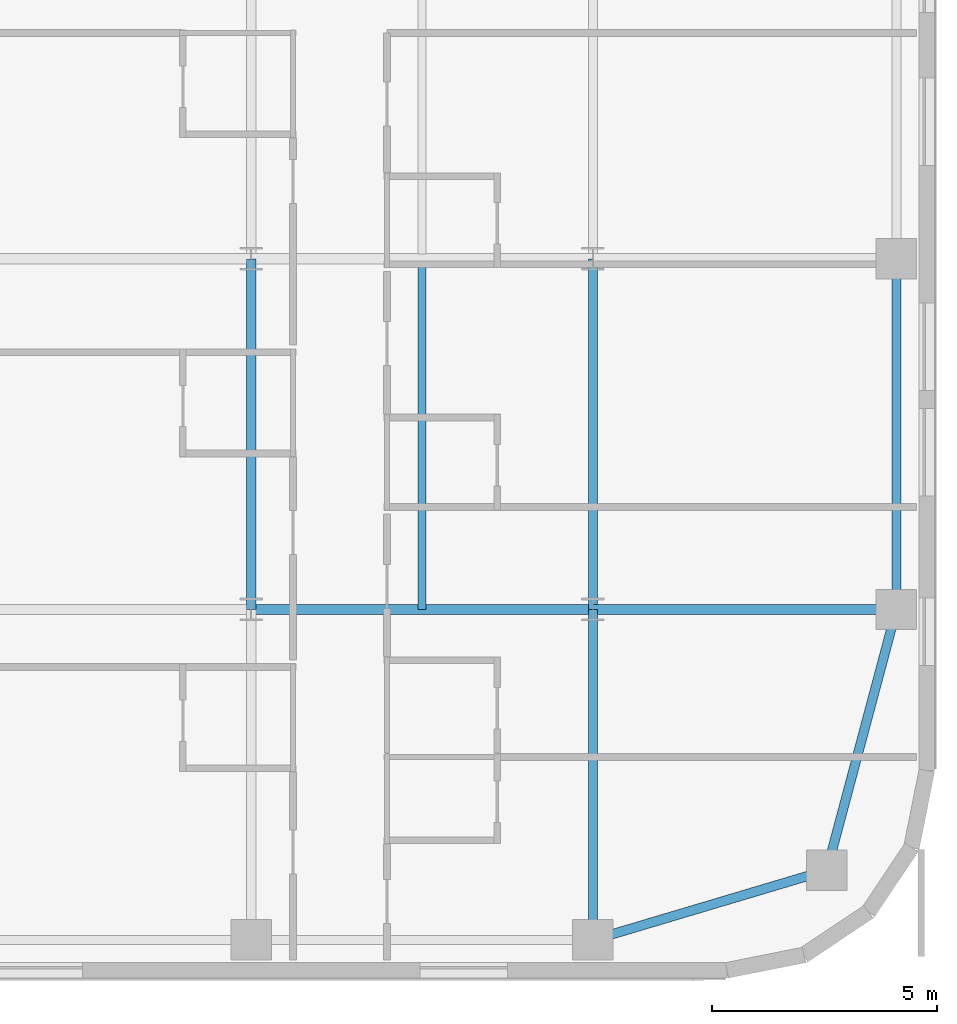
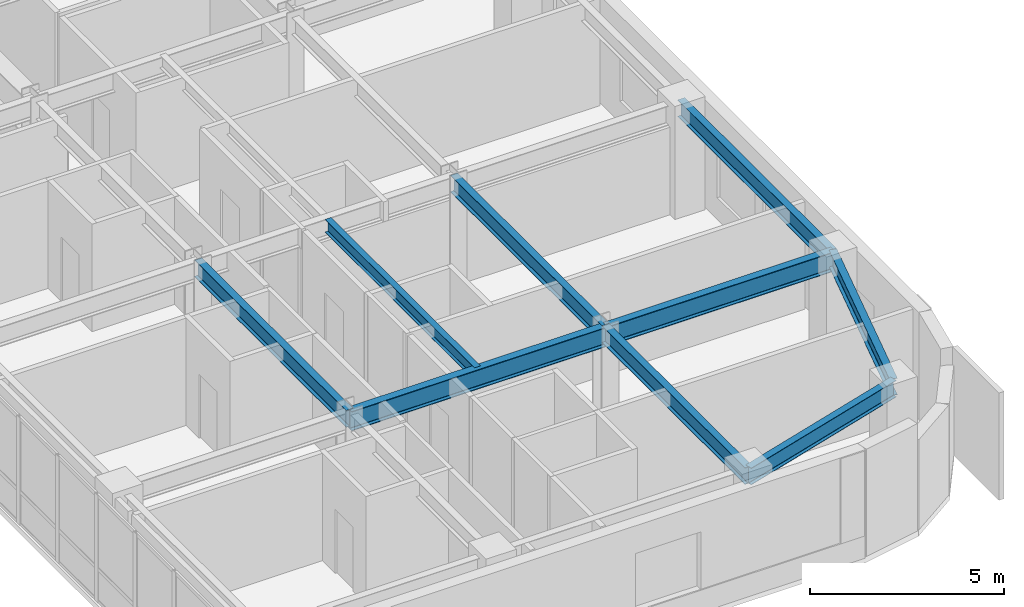
# One storey, part 10 of 25: 9 beams.
"""IFC4 building model written with IfcOpenShell, lengths in metres."""

import ifcopenshell
import ifcopenshell.guid

model = None  # the IFC model being written
_history = None  # IfcOwnerHistory: only IFC2X3 demands one
_inside = {}  # id of a spatial element -> (the spatial element, [elements in it])
_under = {}  # id of a project, library or spatial element -> (it, [spatial elements below it])
_declared = {}  # id of a project -> (the project, [libraries it declares])
_typed = {}  # id of a type object -> (the type object, [elements of that type])
_made_of = {}  # id of a material, layer set ... -> (it, [elements and type objects made of it])


def new_model(schema):
    """Start an empty IFC model of exactly this schema.

    Asked for "IFC4X3", IfcOpenShell would pick the latest addendum, in which some entities
    have other attributes; the version numbers below select the first issue.
    IFC2X3 requires an IfcOwnerHistory on every rooted entity: one is made here for all.
    """
    global model, _history
    if schema == "IFC4X3":
        model = ifcopenshell.file(schema_version=(4, 3, 0, 0))
    else:
        model = ifcopenshell.file(schema=schema)
    _inside.clear()
    _under.clear()
    _declared.clear()
    _typed.clear()
    _made_of.clear()
    _history = None
    if model.schema == "IFC2X3":
        org = make("IfcOrganization", Name="unknown")
        user = make(
            "IfcPersonAndOrganization",
            ThePerson=make("IfcPerson", FamilyName="unknown"),
            TheOrganization=org,
        )
        app = make(
            "IfcApplication",
            ApplicationDeveloper=org,
            Version="unknown",
            ApplicationFullName="unknown",
            ApplicationIdentifier="unknown",
        )
        _history = make(
            "IfcOwnerHistory",
            OwningUser=user,
            OwningApplication=app,
            ChangeAction="ADDED",
            CreationDate=0,
        )
    return model


def make(cls, **values):
    """One entity of the class cls with the attributes given. An attribute that is None is left unset."""
    return model.create_entity(
        cls, **{name: value for name, value in values.items() if value is not None}
    )


def rooted(cls, **values):
    """An entity with a GlobalId (a new one), such as an element, a storey or a relation."""
    return make(cls, GlobalId=ifcopenshell.guid.new(), OwnerHistory=_history, **values)


def si_unit(unit_type, name, prefix=None):
    """IfcSIUnit, for example si_unit("LENGTHUNIT", "METRE", prefix="MILLI")."""
    return make("IfcSIUnit", UnitType=unit_type, Prefix=prefix, Name=name)


def assignment(units):
    """IfcUnitAssignment: the units of a project."""
    return None if units is None else make("IfcUnitAssignment", Units=units)


def point(xyz):
    """IfcCartesianPoint."""
    return None if xyz is None else make("IfcCartesianPoint", Coordinates=xyz)


def direction(xyz):
    """IfcDirection."""
    return None if xyz is None else make("IfcDirection", DirectionRatios=xyz)


def frame(location, z_axis=None, x_axis=None):
    """IfcAxis2Placement3D, a coordinate frame: its origin and axes. An axis left out is left unset."""
    return make(
        "IfcAxis2Placement3D",
        Location=point(location),
        Axis=direction(z_axis),
        RefDirection=direction(x_axis),
    )


def frame_2d(location, x_axis=None):
    """IfcAxis2Placement2D, a coordinate frame in the plane: its origin and x axis."""
    return make(
        "IfcAxis2Placement2D", Location=point(location), RefDirection=direction(x_axis)
    )


def origin():
    """The frame at (0, 0, 0) with its axes left unset."""
    return frame((0.0, 0.0, 0.0))


def origin_2d():
    """The frame at (0, 0) in the plane with its x axis left unset."""
    return frame_2d((0.0, 0.0))


def place(relative_to, where):
    """IfcLocalPlacement: puts the frame where relative to a parent placement (None: the world)."""
    return make(
        "IfcLocalPlacement", PlacementRelTo=relative_to, RelativePlacement=where
    )


def context(
    kind, dimensions, precision=None, world=None, true_north=None, identifier=None
):
    """IfcGeometricRepresentationContext, for example the 3D "Model" context."""
    return make(
        "IfcGeometricRepresentationContext",
        ContextIdentifier=identifier,
        ContextType=kind,
        CoordinateSpaceDimension=dimensions,
        Precision=precision,
        WorldCoordinateSystem=world,
        TrueNorth=true_north,
    )


def subcontext(parent, identifier, kind, view, scale=None):
    """IfcGeometricRepresentationSubContext, for example "Body" below "Model"."""
    return make(
        "IfcGeometricRepresentationSubContext",
        ContextIdentifier=identifier,
        ContextType=kind,
        ParentContext=parent,
        TargetScale=scale,
        TargetView=view,
    )


def project(units=None, contexts=None):
    """IfcProject with its units and contexts."""
    return rooted(
        "IfcProject",
        Name="project",
        RepresentationContexts=contexts,
        UnitsInContext=assignment(units),
    )


def spatial(cls, under=None, at=None, **own):
    """A site, building, storey or space (cls), placed at a placement, below another one or the project."""
    s = rooted(cls, ObjectPlacement=at, **own)
    if under is not None:
        _under.setdefault(under.id(), (under, []))[1].append(s)
    return s


def profile(cls, at=None, kind="AREA", **sizes):
    """A parametric profile (cls). Its sizes go by their IFC names, for example OverallWidth=200.0."""
    return make(cls, ProfileType=kind, Position=at, **sizes)


def i_section(**sizes):
    """IfcIShapeProfileDef."""
    return profile("IfcIShapeProfileDef", **sizes)


def extrude(swept, where, along, depth):
    """IfcExtrudedAreaSolid: the profile swept, set in the frame where, extruded along a direction by depth."""
    return make(
        "IfcExtrudedAreaSolid",
        SweptArea=swept,
        Position=where,
        ExtrudedDirection=direction(along),
        Depth=depth,
    )


def shape(context_of_items, identifier, shape_type, items):
    """IfcShapeRepresentation: the items that make up one representation, for example the "Body"."""
    return make(
        "IfcShapeRepresentation",
        ContextOfItems=context_of_items,
        RepresentationIdentifier=identifier,
        RepresentationType=shape_type,
        Items=items,
    )


def source(mapping_origin, context_of_items, identifier, shape_type, items):
    """IfcRepresentationMap: a shape defined once, which mapped items show again and again."""
    return make(
        "IfcRepresentationMap",
        MappingOrigin=mapping_origin,
        MappedRepresentation=shape(context_of_items, identifier, shape_type, items),
    )


def transform(
    local_origin,
    x_axis=None,
    y_axis=None,
    z_axis=None,
    scale=None,
    scale2=None,
    scale3=None,
    uniform=True,
):
    """IfcCartesianTransformationOperator3D, or its non-uniform kind. x_axis, y_axis, z_axis: its Axis1, 2, 3."""
    if uniform:
        return make(
            "IfcCartesianTransformationOperator3D",
            Axis1=direction(x_axis),
            Axis2=direction(y_axis),
            LocalOrigin=point(local_origin),
            Scale=scale,
            Axis3=direction(z_axis),
        )
    return make(
        "IfcCartesianTransformationOperator3DnonUniform",
        Axis1=direction(x_axis),
        Axis2=direction(y_axis),
        LocalOrigin=point(local_origin),
        Scale=scale,
        Axis3=direction(z_axis),
        Scale2=scale2,
        Scale3=scale3,
    )


def mapped(mapping_source, mapping_target):
    """IfcMappedItem: shows the shape of a source again, moved by a transform."""
    return make(
        "IfcMappedItem", MappingSource=mapping_source, MappingTarget=mapping_target
    )


def material(Name=None, Category=None):
    """IfcMaterial."""
    return make("IfcMaterial", Name=Name, Category=Category)


def material_profile(
    of_material, cross_section, Name=None, Category=None, Priority=None
):
    """IfcMaterialProfile: a cross section and its material."""
    return make(
        "IfcMaterialProfile",
        Name=Name,
        Material=of_material,
        Profile=cross_section,
        Priority=Priority,
        Category=Category,
    )


def profile_set(profiles, Name=None, composite=None):
    """IfcMaterialProfileSet."""
    return make(
        "IfcMaterialProfileSet",
        Name=Name,
        MaterialProfiles=profiles,
        CompositeProfile=composite,
    )


def made_of(thing, what):
    """Note that an element or type object is made of a material, layer set ...; save() writes the relation."""
    if what is not None:
        _made_of.setdefault(what.id(), (what, []))[1].append(thing)
    return thing


def type_object(cls, material=None, **own):
    """A type object (cls), such as IfcWallType, which elements share."""
    return made_of(rooted(cls, **own), material)


def type_shapes(of_type, sources):
    """Give a type object the sources (RepresentationMaps) that its elements show as mapped items."""
    of_type.RepresentationMaps = sources


def element(
    cls,
    number,
    at=None,
    inside=None,
    cuts=None,
    type_object=None,
    material=None,
    context=None,
    identifier="Body",
    shape_type=None,
    held_by="IfcProductDefinitionShape",
    body=None,
    shapes=None,
    **own,
):
    """One element of the class cls, such as IfcWall. Its Tag is "e" and its number.

    at: its placement. inside: the storey or other place that contains it. cuts: it is an
    opening in that element (IfcRelVoidsElement). A single representation is given by context,
    identifier, shape_type and body (its items); several are given by shapes. held_by: the class
    of the entity that holds the representations. save() writes the other relations.
    """
    e = rooted(cls, Tag="e%d" % number, ObjectPlacement=at, **own)
    if body is not None:
        shapes = [shape(context, identifier, shape_type, body)]
    if shapes is not None:
        e.Representation = make(held_by, Representations=shapes)
    if inside is not None:
        _inside.setdefault(inside.id(), (inside, []))[1].append(e)
    if cuts is not None:
        rooted(
            "IfcRelVoidsElement", RelatingBuildingElement=cuts, RelatedOpeningElement=e
        )
    if type_object is not None:
        _typed.setdefault(type_object.id(), (type_object, []))[1].append(e)
    return made_of(e, material)


def aggregate(whole, parts):
    """IfcRelAggregates: a whole, such as a stair, and the parts it consists of."""
    return rooted("IfcRelAggregates", RelatingObject=whole, RelatedObjects=parts)


def save(model, path):
    """Write the relations noted so far, then the file.

    IfcRelAggregates (storeys below a building ...), IfcRelContainedInSpatialStructure (elements
    in a storey), IfcRelDefinesByType, IfcRelAssociatesMaterial and IfcRelDeclares: one each for
    every whole, place, type object, material and project.
    """
    for whole, parts in _under.values():
        aggregate(whole, parts)
    for where, things in _inside.values():
        rooted(
            "IfcRelContainedInSpatialStructure",
            RelatedElements=things,
            RelatingStructure=where,
        )
    for kind, things in _typed.values():
        rooted("IfcRelDefinesByType", RelatedObjects=things, RelatingType=kind)
    for what, things in _made_of.values():
        rooted("IfcRelAssociatesMaterial", RelatedObjects=things, RelatingMaterial=what)
    for by, libraries in _declared.values():
        rooted("IfcRelDeclares", RelatingContext=by, RelatedDefinitions=libraries)
    model.write(path)


model = new_model("IFC4")

# Units and contexts
model_context = context("Model", 3, precision=1e-05, world=origin(), true_north=direction((0.0, 1.0)))
body_context = subcontext(model_context, "Body", "Model", "MODEL_VIEW")
ifc_project = project(units=[si_unit("LENGTHUNIT", "METRE"), si_unit("AREAUNIT", "SQUARE_METRE"), si_unit("VOLUMEUNIT", "CUBIC_METRE"), si_unit("PLANEANGLEUNIT", "RADIAN"), si_unit("MASSUNIT", "GRAM", prefix="KILO")], contexts=[model_context])

# Site, building, storey
site_placement = place(None, origin())
site = spatial("IfcSite", under=ifc_project, at=site_placement, CompositionType="ELEMENT")
building_placement = place(site_placement, origin())
building = spatial("IfcBuilding", under=site, at=building_placement, Name="Tolvann Quenvar Hotel", CompositionType="ELEMENT")
storey_placement = place(building_placement, frame((0.0, 0.0, 111.550048828125)))
storey = spatial("IfcBuildingStorey", under=building, at=storey_placement, Name="L28", CompositionType="ELEMENT", Elevation=111.550048828125)

# Beams
ifc_material = material(Name="Steel Grade 350", Category="steel")
ifc_material_profile_1 = material_profile(ifc_material, i_section(OverallWidth=0.208984375, OverallDepth=0.528076171875, WebThickness=0.009521484375, FlangeThickness=0.01318359375, FilletRadius=0.013916015625, at=origin_2d()), Name="530UB82")
ifc_profile_set_1 = profile_set([ifc_material_profile_1], Name="Steel Grade 350")
beam_type_1 = type_object("IfcBeamType", Name="BM_SPAND_530UB82", PredefinedType="SPANDREL", material=ifc_profile_set_1)
shared_shape_1 = source(origin(), body_context, "Body", "SweptSolid", [
    extrude(i_section(OverallWidth=0.208984375, OverallDepth=0.528076171875, WebThickness=0.009521484375, FlangeThickness=0.01318359375, FilletRadius=0.013916015625, at=origin_2d()), origin(), (0.0, 0.0, 1.0), 5.42626953125),
])
beam_1_placement = place(storey_placement, frame((49.39990234375, 0.85009765625, 3.10595703125), z_axis=(0.958344815522, 0.285613750654, 0.0), x_axis=(-0.285613750654, 0.958344815522, 0.0)))
element("IfcBeam", 1, at=beam_1_placement, inside=storey, type_object=beam_type_1, Name="BM-L28-EW-2-I2-J2", PredefinedType="SPANDREL", context=body_context, shape_type="MappedRepresentation", body=[
    mapped(shared_shape_1, transform((0.0, 0.0, 0.0), x_axis=(1.0, 0.0, 0.0), y_axis=(0.0, 1.0, 0.0), z_axis=(0.0, 0.0, 1.0), scale=1.0)),
])
ifc_material_profile_2 = material_profile(ifc_material, i_section(OverallWidth=0.22900390625, OverallDepth=0.612060546875, WebThickness=0.011962890625, FlangeThickness=0.01953125, FilletRadius=0.013916015625, at=origin_2d()), Name="610UB125")
ifc_profile_set_2 = profile_set([ifc_material_profile_2], Name="Steel Grade 350")
beam_type_2 = type_object("IfcBeamType", Name="BM_GIRD_610UB125", PredefinedType="BEAM", material=ifc_profile_set_2)
shared_shape_2 = source(origin(), body_context, "Body", "SweptSolid", [
    extrude(i_section(OverallWidth=0.22900390625, OverallDepth=0.612060546875, WebThickness=0.011962890625, FlangeThickness=0.01953125, FilletRadius=0.013916015625, at=origin_2d()), origin(), (0.0, 0.0, 1.0), 6.75),
])
beam_2_placement = place(storey_placement, frame((49.39990234375, 8.199951171875, 3.06396484375), z_axis=(1.0, 0.0, 0.0), x_axis=(0.0, 1.0, 0.0)))
element("IfcBeam", 2, at=beam_2_placement, inside=storey, type_object=beam_type_2, Name="BM-L28-EW-3-I3-J3", PredefinedType="BEAM", context=body_context, shape_type="MappedRepresentation", body=[
    mapped(shared_shape_2, transform((0.0, 0.0, 0.0), x_axis=(1.0, 0.0, 0.0), y_axis=(0.0, 1.0, 0.0), z_axis=(0.0, 0.0, 1.0), scale=1.0)),
])
shared_shape_3 = source(origin(), body_context, "Body", "SweptSolid", [
    extrude(i_section(OverallWidth=0.22900390625, OverallDepth=0.612060546875, WebThickness=0.011962890625, FlangeThickness=0.01953125, FilletRadius=0.013916015625, at=origin_2d()), origin(), (0.0, 0.0, 1.0), 7.599853515625),
])
type_shapes(beam_type_2, [shared_shape_2, shared_shape_3])
beam_3_placement = place(storey_placement, frame((41.800048828125, 8.199951171875, 3.06396484375), z_axis=(1.0, 0.0, 0.0), x_axis=(0.0, 1.0, 0.0)))
element("IfcBeam", 3, at=beam_3_placement, inside=storey, type_object=beam_type_2, Name="BM-L28-EW-3-H3-I3", PredefinedType="BEAM", context=body_context, shape_type="MappedRepresentation", body=[
    mapped(shared_shape_3, transform((0.0, 0.0, 0.0), x_axis=(1.0, 0.0, 0.0), y_axis=(0.0, 1.0, 0.0), z_axis=(0.0, 0.0, 1.0), scale=1.0)),
])
shared_shape_4 = source(origin(), body_context, "Body", "SweptSolid", [
    extrude(i_section(OverallWidth=0.208984375, OverallDepth=0.528076171875, WebThickness=0.009521484375, FlangeThickness=0.01318359375, FilletRadius=0.013916015625, at=origin_2d()), origin(), (0.0, 0.0, 1.0), 6.00341796875),
])
beam_4_placement = place(storey_placement, frame((54.60009765625, 2.39990234375, 3.10595703125), z_axis=(0.258148586649, 0.966105225745, 0.0), x_axis=(-0.966105225745, 0.258148586649, 0.0)))
element("IfcBeam", 4, at=beam_4_placement, inside=storey, type_object=beam_type_1, Name="BM-L28-NS-J2-J3", PredefinedType="SPANDREL", context=body_context, shape_type="MappedRepresentation", body=[
    mapped(shared_shape_4, transform((0.0, 0.0, 0.0), x_axis=(1.0, 0.0, 0.0), y_axis=(0.0, 1.0, 0.0), z_axis=(0.0, 0.0, 1.0), scale=1.0)),
])
shared_shape_5 = source(origin(), body_context, "Body", "SweptSolid", [
    extrude(i_section(OverallWidth=0.208984375, OverallDepth=0.528076171875, WebThickness=0.009521484375, FlangeThickness=0.01318359375, FilletRadius=0.013916015625, at=origin_2d()), origin(), (0.0, 0.0, 1.0), 7.800048828125),
])
type_shapes(beam_type_1, [shared_shape_1, shared_shape_4, shared_shape_5])
beam_5_placement = place(storey_placement, frame((56.14990234375, 8.199951171875, 3.10595703125), z_axis=(0.0, 1.0, 0.0), x_axis=(-1.0, 0.0, 0.0)))
element("IfcBeam", 5, at=beam_5_placement, inside=storey, type_object=beam_type_1, Name="BM-L28-NS-J3-J4", PredefinedType="SPANDREL", context=body_context, shape_type="MappedRepresentation", body=[
    mapped(shared_shape_5, transform((0.0, 0.0, 0.0), x_axis=(1.0, 0.0, 0.0), y_axis=(0.0, 1.0, 0.0), z_axis=(0.0, 0.0, 1.0), scale=1.0)),
])
ifc_material_profile_3 = material_profile(ifc_material, i_section(OverallWidth=0.208984375, OverallDepth=0.532958984375, WebThickness=0.01025390625, FlangeThickness=0.015625, FilletRadius=0.013916015625, at=origin_2d()), Name="530UB92")
ifc_profile_set_3 = profile_set([ifc_material_profile_3], Name="Steel Grade 350")
beam_type_3 = type_object("IfcBeamType", Name="BM_GIRD_530UB92", PredefinedType="BEAM", material=ifc_profile_set_3)
shared_shape_6 = source(origin(), body_context, "Body", "SweptSolid", [
    extrude(i_section(OverallWidth=0.208984375, OverallDepth=0.532958984375, WebThickness=0.01025390625, FlangeThickness=0.015625, FilletRadius=0.013916015625, at=origin_2d()), origin(), (0.0, 0.0, 1.0), 7.349853515625),
])
beam_6_placement = place(storey_placement, frame((49.39990234375, 0.85009765625, 3.103515625), z_axis=(0.0, 1.0, 0.0), x_axis=(-1.0, 0.0, 0.0)))
element("IfcBeam", 6, at=beam_6_placement, inside=storey, type_object=beam_type_3, Name="BM-L28-NS-I2-I3", PredefinedType="BEAM", context=body_context, shape_type="MappedRepresentation", body=[
    mapped(shared_shape_6, transform((0.0, 0.0, 0.0), x_axis=(1.0, 0.0, 0.0), y_axis=(0.0, 1.0, 0.0), z_axis=(0.0, 0.0, 1.0), scale=1.0)),
])
shared_shape_7 = source(origin(), body_context, "Body", "SweptSolid", [
    extrude(i_section(OverallWidth=0.208984375, OverallDepth=0.532958984375, WebThickness=0.01025390625, FlangeThickness=0.015625, FilletRadius=0.013916015625, at=origin_2d()), origin(), (0.0, 0.0, 1.0), 7.800048828125),
])
type_shapes(beam_type_3, [shared_shape_6, shared_shape_7])
for number, where, z_axis, x_axis, name in (
    (7, (41.800048828125, 8.199951171875, 3.103515625), (0.0, 1.0, 0.0), (-1.0, 0.0, 0.0), "BM-L28-NS-H3-H4"),
    (8, (49.39990234375, 8.199951171875, 3.103515625), (0.0, 1.0, 0.0), (-1.0, 0.0, 0.0), "BM-L28-NS-I3-I4"),
):
    element("IfcBeam", number, at=place(storey_placement, frame(where, z_axis=z_axis, x_axis=x_axis)), inside=storey, type_object=beam_type_3, Name=name, PredefinedType="BEAM", context=body_context, shape_type="MappedRepresentation", body=[
        mapped(shared_shape_7, transform((0.0, 0.0, 0.0), x_axis=(1.0, 0.0, 0.0), y_axis=(0.0, 1.0, 0.0), z_axis=(0.0, 0.0, 1.0), scale=1.0)),
    ])
ifc_material_profile_4 = material_profile(ifc_material, i_section(OverallWidth=0.177978515625, OverallDepth=0.406005859375, WebThickness=0.0078125, FlangeThickness=0.0126953125, FilletRadius=0.011474609375, at=origin_2d()), Name="410UB60")
ifc_profile_set_4 = profile_set([ifc_material_profile_4], Name="Steel Grade 350")
beam_type_4 = type_object("IfcBeamType", Name="BM_JOIST_410UB60", PredefinedType="JOIST", material=ifc_profile_set_4)
shared_shape_8 = source(origin(), body_context, "Body", "SweptSolid", [
    extrude(i_section(OverallWidth=0.177978515625, OverallDepth=0.406005859375, WebThickness=0.0078125, FlangeThickness=0.0126953125, FilletRadius=0.011474609375, at=origin_2d()), origin(), (0.0, 0.0, 1.0), 7.691650390625),
])
type_shapes(beam_type_4, [shared_shape_8])
beam_7_placement = place(storey_placement, frame((45.60009765625, 8.199951171875, 3.1669921875), z_axis=(0.0, 1.0, 0.0), x_axis=(-1.0, 0.0, 0.0)))
element("IfcBeam", 9, at=beam_7_placement, inside=storey, type_object=beam_type_4, Name="BJ-L28-456-82", PredefinedType="JOIST", context=body_context, shape_type="MappedRepresentation", body=[
    mapped(shared_shape_8, transform((0.0, 0.0, 0.0), x_axis=(1.0, 0.0, 0.0), y_axis=(0.0, 1.0, 0.0), z_axis=(0.0, 0.0, 1.0), scale=1.0)),
])

save(model, "model.ifc")
